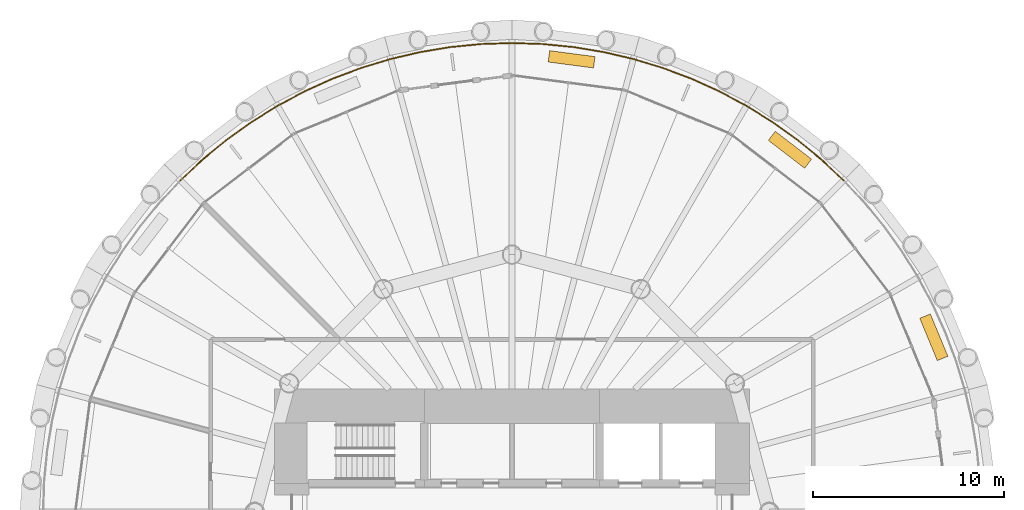
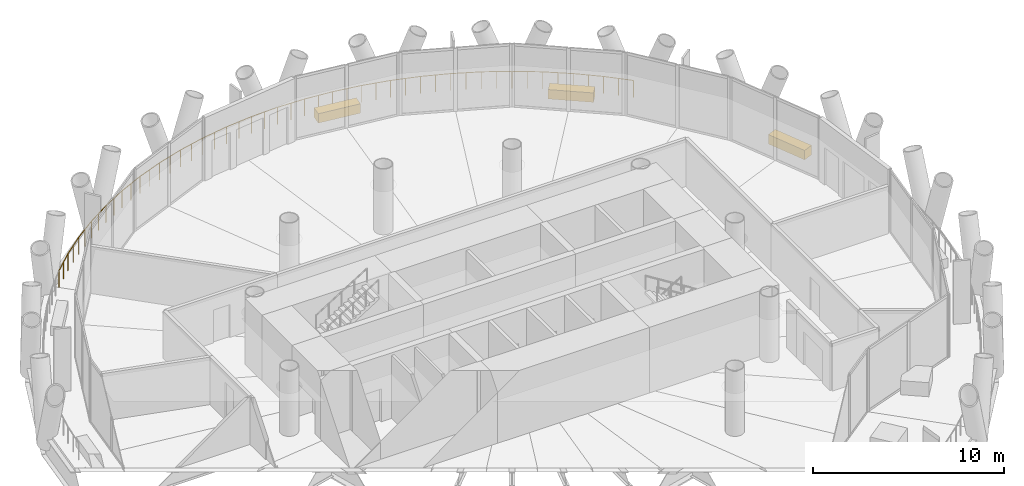
# One storey, part 15 of 15: 3 coverings, 1 railing.
"""IFC4 building model written with IfcOpenShell, lengths in metres."""

from ifc_helpers import new_model, si_unit, direction, frame, origin, origin_2d, place, context, subcontext, project, spatial, rectangle, circle, extrude, material, layer, layer_set, type_object, element, save


model = new_model("IFC4")

# Units and contexts
model_context = context("Model", 3, precision=1e-05, world=origin(), true_north=direction((0.0, 1.0)))
body_context = subcontext(model_context, "Body", "Model", "MODEL_VIEW")
ifc_project = project(units=[si_unit("LENGTHUNIT", "METRE"), si_unit("AREAUNIT", "SQUARE_METRE"), si_unit("VOLUMEUNIT", "CUBIC_METRE"), si_unit("PLANEANGLEUNIT", "RADIAN"), si_unit("MASSUNIT", "GRAM", prefix="KILO")], contexts=[model_context])

# Site, building, storey
site_placement = place(None, origin())
site = spatial("IfcSite", under=ifc_project, at=site_placement, CompositionType="ELEMENT")
building_placement = place(site_placement, origin())
building = spatial("IfcBuilding", under=site, at=building_placement, Name="Qaws Media Tower", CompositionType="ELEMENT")
storey_placement = place(building_placement, frame((0.0, 0.0, 110.0)))
storey = spatial("IfcBuildingStorey", under=building, at=storey_placement, Name="L24", CompositionType="ELEMENT", Elevation=110.0)

# Railing
ifc_material_1 = material(Name="Stainless steel and glass guard", Category="steel")
railing_type = type_object("IfcRailingType", Name="Balcony guard 1100", PredefinedType="GUARDRAIL", material=ifc_material_1)
railing_placement = place(storey_placement, frame((77.394775390625, 67.394775390625, 0.0)))
element("IfcRailing", 1, at=railing_placement, inside=storey, type_object=railing_type, Name="GR1 balcony guard L24-1", PredefinedType="GUARDRAIL", context=body_context, shape_type="SweptSolid", body=[
    extrude(circle(Radius=0.02392578125, at=origin_2d()), frame((0.0, 0.0, 1.076171875), z_axis=(-0.729783090483, 0.68367875559, 0.0), x_axis=(-0.68367875559, -0.729783090483, 0.0)), (0.0, 0.0, 1.0), 1.60986328125),
    extrude(circle(Radius=0.02392578125, at=origin_2d()), frame((-1.1748046875, 1.1005859375, 1.076171875), z_axis=(-0.773010438254, 0.634393302574, 0.0), x_axis=(-0.634393302574, -0.773010438254, 0.0)), (0.0, 0.0, 1.0), 1.60986328125),
    extrude(circle(Radius=0.02392578125, at=origin_2d()), frame((-2.419189453125, 2.121826171875, 1.076171875), z_axis=(-0.812912862639, 0.582385334428, 0.0), x_axis=(-0.582385334428, -0.812912862639, 0.0)), (0.0, 0.0, 1.0), 1.60986328125),
    extrude(circle(Radius=0.02392578125, at=origin_2d()), frame((-3.727783203125, 3.059326171875, 1.076171875), z_axis=(-0.849180548432, 0.528102637907, 0.0), x_axis=(-0.528102637907, -0.849180548432, 0.0)), (0.0, 0.0, 1.0), 1.609619140625),
    extrude(circle(Radius=0.02392578125, at=origin_2d()), frame((-5.0947265625, 3.909423828125, 1.076171875), z_axis=(-0.88193275575, 0.471375237295, 0.0), x_axis=(-0.471375237295, -0.88193275575, 0.0)), (0.0, 0.0, 1.0), 1.609619140625),
    extrude(circle(Radius=0.02392578125, at=origin_2d()), frame((-6.514404296875, 4.668212890625, 1.076171875), z_axis=(-0.910822956151, 0.412797217224, 0.0), x_axis=(-0.412797217224, -0.910822956151, 0.0)), (0.0, 0.0, 1.0), 1.60986328125),
    extrude(circle(Radius=0.02392578125, at=origin_2d()), frame((-7.980712890625, 5.332763671875, 1.076171875), z_axis=(-0.935935920435, 0.352170346338, 0.0), x_axis=(-0.352170346338, -0.935935920435, 0.0)), (0.0, 0.0, 1.0), 1.609619140625),
    extrude(circle(Radius=0.02392578125, at=origin_2d()), frame((-9.4873046875, 5.899658203125, 1.076171875), z_axis=(-0.956945288685, 0.290268349056, 0.0), x_axis=(-0.290268349056, -0.956945288685, 0.0)), (0.0, 0.0, 1.0), 1.60986328125),
    extrude(circle(Radius=0.02392578125, at=origin_2d()), frame((-11.02783203125, 6.366943359375, 1.076171875), z_axis=(-0.973882587592, 0.227052208943, 0.0), x_axis=(-0.227052208943, -0.973882587592, 0.0)), (0.0, 0.0, 1.0), 1.609619140625),
    extrude(circle(Radius=0.02392578125, at=origin_2d()), frame((-12.595458984375, 6.732421875, 1.076171875), z_axis=(-0.986622483946, 0.163021698469, 0.0), x_axis=(-0.163021698469, -0.986622483946, 0.0)), (0.0, 0.0, 1.0), 1.60986328125),
    extrude(circle(Radius=0.02392578125, at=origin_2d()), frame((-14.183837890625, 6.994873046875, 1.076171875), z_axis=(-0.995189172452, 0.09797199107, 0.0), x_axis=(-0.09797199107, -0.995189172452, 0.0)), (0.0, 0.0, 1.0), 1.60986328125),
    extrude(circle(Radius=0.02392578125, at=origin_2d()), frame((-15.785888671875, 7.152587890625, 1.076171875), z_axis=(-0.999463268704, 0.032759342343, 0.0), x_axis=(-0.032759342343, -0.999463268704, 0.0)), (0.0, 0.0, 1.0), 1.60986328125),
    extrude(circle(Radius=0.02392578125, at=origin_2d()), frame((-17.394775390625, 7.205322265625, 1.076171875), z_axis=(-0.999463268704, -0.032759342343, 0.0), x_axis=(0.032759342343, -0.999463268704, 0.0)), (0.0, 0.0, 1.0), 1.60986328125),
    extrude(circle(Radius=0.02392578125, at=origin_2d()), frame((-19.003662109375, 7.152587890625, 1.076171875), z_axis=(-0.995189172452, -0.09797199107, 0.0), x_axis=(0.09797199107, -0.995189172452, 0.0)), (0.0, 0.0, 1.0), 1.60986328125),
    extrude(circle(Radius=0.02392578125, at=origin_2d()), frame((-20.605712890625, 6.994873046875, 1.076171875), z_axis=(-0.986622483946, -0.163021698469, 0.0), x_axis=(0.163021698469, -0.986622483946, 0.0)), (0.0, 0.0, 1.0), 1.60986328125),
    extrude(circle(Radius=0.02392578125, at=origin_2d()), frame((-22.194091796875, 6.732421875, 1.076171875), z_axis=(-0.973882587592, -0.227052208943, 0.0), x_axis=(0.227052208943, -0.973882587592, 0.0)), (0.0, 0.0, 1.0), 1.609619140625),
    extrude(circle(Radius=0.02392578125, at=origin_2d()), frame((-23.76171875, 6.366943359375, 1.076171875), z_axis=(-0.956945288685, -0.290268349056, 0.0), x_axis=(0.290268349056, -0.956945288685, 0.0)), (0.0, 0.0, 1.0), 1.60986328125),
    extrude(circle(Radius=0.02392578125, at=origin_2d()), frame((-25.30224609375, 5.899658203125, 1.076171875), z_axis=(-0.935935920435, -0.352170346338, 0.0), x_axis=(0.352170346338, -0.935935920435, 0.0)), (0.0, 0.0, 1.0), 1.609619140625),
    extrude(circle(Radius=0.02392578125, at=origin_2d()), frame((-26.808837890625, 5.332763671875, 1.076171875), z_axis=(-0.910822956151, -0.412797217224, 0.0), x_axis=(0.412797217224, -0.910822956151, 0.0)), (0.0, 0.0, 1.0), 1.60986328125),
    extrude(circle(Radius=0.02392578125, at=origin_2d()), frame((-28.275146484375, 4.668212890625, 1.076171875), z_axis=(-0.88193275575, -0.471375237295, 0.0), x_axis=(0.471375237295, -0.88193275575, 0.0)), (0.0, 0.0, 1.0), 1.609619140625),
    extrude(circle(Radius=0.02392578125, at=origin_2d()), frame((-29.69482421875, 3.909423828125, 1.076171875), z_axis=(-0.849180548432, -0.528102637907, 0.0), x_axis=(0.528102637907, -0.849180548432, 0.0)), (0.0, 0.0, 1.0), 1.609619140625),
    extrude(circle(Radius=0.02392578125, at=origin_2d()), frame((-31.061767578125, 3.059326171875, 1.076171875), z_axis=(-0.812912862639, -0.582385334428, 0.0), x_axis=(0.582385334428, -0.812912862639, 0.0)), (0.0, 0.0, 1.0), 1.60986328125),
    extrude(circle(Radius=0.02392578125, at=origin_2d()), frame((-32.370361328125, 2.121826171875, 1.076171875), z_axis=(-0.773010438254, -0.634393302574, 0.0), x_axis=(0.634393302574, -0.773010438254, 0.0)), (0.0, 0.0, 1.0), 1.60986328125),
    extrude(circle(Radius=0.02392578125, at=origin_2d()), frame((-33.61474609375, 1.1005859375, 1.076171875), z_axis=(-0.729783090483, -0.68367875559, 0.0), x_axis=(0.68367875559, -0.729783090483, 0.0)), (0.0, 0.0, 1.0), 1.60986328125),
    extrude(circle(Radius=0.02099609375, at=origin_2d()), origin(), (0.0, 0.0, 1.0), 1.052001953125),
    extrude(circle(Radius=0.02099609375, at=origin_2d()), frame((-0.58740234375, 0.55029296875, 0.0)), (0.0, 0.0, 1.0), 1.052001953125),
    extrude(circle(Radius=0.02099609375, at=origin_2d()), frame((-1.1748046875, 1.1005859375, 0.0)), (0.0, 0.0, 1.0), 1.052001953125),
    extrude(circle(Radius=0.02099609375, at=origin_2d()), frame((-1.796875, 1.611328125, 0.0)), (0.0, 0.0, 1.0), 1.052001953125),
    extrude(circle(Radius=0.02099609375, at=origin_2d()), frame((-2.419189453125, 2.121826171875, 0.0)), (0.0, 0.0, 1.0), 1.052001953125),
    extrude(circle(Radius=0.02099609375, at=origin_2d()), frame((-3.073486328125, 2.590576171875, 0.0)), (0.0, 0.0, 1.0), 1.052001953125),
    extrude(circle(Radius=0.02099609375, at=origin_2d()), frame((-3.727783203125, 3.059326171875, 0.0)), (0.0, 0.0, 1.0), 1.052001953125),
    extrude(circle(Radius=0.02099609375, at=origin_2d()), frame((-4.4111328125, 3.484375, 0.0)), (0.0, 0.0, 1.0), 1.052001953125),
    extrude(circle(Radius=0.02099609375, at=origin_2d()), frame((-5.0947265625, 3.909423828125, 0.0)), (0.0, 0.0, 1.0), 1.052001953125),
    extrude(circle(Radius=0.02099609375, at=origin_2d()), frame((-5.8046875, 4.288818359375, 0.0)), (0.0, 0.0, 1.0), 1.052001953125),
    extrude(circle(Radius=0.02099609375, at=origin_2d()), frame((-6.514404296875, 4.668212890625, 0.0)), (0.0, 0.0, 1.0), 1.052001953125),
    extrude(circle(Radius=0.02099609375, at=origin_2d()), frame((-7.24755859375, 5.00048828125, 0.0)), (0.0, 0.0, 1.0), 1.052001953125),
    extrude(circle(Radius=0.02099609375, at=origin_2d()), frame((-7.980712890625, 5.332763671875, 0.0)), (0.0, 0.0, 1.0), 1.052001953125),
    extrude(circle(Radius=0.02099609375, at=origin_2d()), frame((-8.73388671875, 5.6162109375, 0.0)), (0.0, 0.0, 1.0), 1.052001953125),
    extrude(circle(Radius=0.02099609375, at=origin_2d()), frame((-9.4873046875, 5.899658203125, 0.0)), (0.0, 0.0, 1.0), 1.052001953125),
    extrude(circle(Radius=0.02099609375, at=origin_2d()), frame((-10.257568359375, 6.13330078125, 0.0)), (0.0, 0.0, 1.0), 1.052001953125),
    extrude(circle(Radius=0.02099609375, at=origin_2d()), frame((-11.02783203125, 6.366943359375, 0.0)), (0.0, 0.0, 1.0), 1.052001953125),
    extrude(circle(Radius=0.02099609375, at=origin_2d()), frame((-11.8115234375, 6.5498046875, 0.0)), (0.0, 0.0, 1.0), 1.052001953125),
    extrude(circle(Radius=0.02099609375, at=origin_2d()), frame((-12.595458984375, 6.732421875, 0.0)), (0.0, 0.0, 1.0), 1.052001953125),
    extrude(circle(Radius=0.02099609375, at=origin_2d()), frame((-13.3896484375, 6.86376953125, 0.0)), (0.0, 0.0, 1.0), 1.052001953125),
    extrude(circle(Radius=0.02099609375, at=origin_2d()), frame((-14.183837890625, 6.994873046875, 0.0)), (0.0, 0.0, 1.0), 1.052001953125),
    extrude(circle(Radius=0.02099609375, at=origin_2d()), frame((-14.98486328125, 7.07373046875, 0.0)), (0.0, 0.0, 1.0), 1.052001953125),
    extrude(circle(Radius=0.02099609375, at=origin_2d()), frame((-15.785888671875, 7.152587890625, 0.0)), (0.0, 0.0, 1.0), 1.052001953125),
    extrude(circle(Radius=0.02099609375, at=origin_2d()), frame((-16.59033203125, 7.178955078125, 0.0)), (0.0, 0.0, 1.0), 1.052001953125),
    extrude(circle(Radius=0.02099609375, at=origin_2d()), frame((-17.394775390625, 7.205322265625, 0.0)), (0.0, 0.0, 1.0), 1.052001953125),
    extrude(circle(Radius=0.02099609375, at=origin_2d()), frame((-18.19921875, 7.178955078125, 0.0)), (0.0, 0.0, 1.0), 1.052001953125),
    extrude(circle(Radius=0.02099609375, at=origin_2d()), frame((-19.003662109375, 7.152587890625, 0.0)), (0.0, 0.0, 1.0), 1.052001953125),
    extrude(circle(Radius=0.02099609375, at=origin_2d()), frame((-19.8046875, 7.07373046875, 0.0)), (0.0, 0.0, 1.0), 1.052001953125),
    extrude(circle(Radius=0.02099609375, at=origin_2d()), frame((-20.605712890625, 6.994873046875, 0.0)), (0.0, 0.0, 1.0), 1.052001953125),
    extrude(circle(Radius=0.02099609375, at=origin_2d()), frame((-21.39990234375, 6.86376953125, 0.0)), (0.0, 0.0, 1.0), 1.052001953125),
    extrude(circle(Radius=0.02099609375, at=origin_2d()), frame((-22.194091796875, 6.732421875, 0.0)), (0.0, 0.0, 1.0), 1.052001953125),
    extrude(circle(Radius=0.02099609375, at=origin_2d()), frame((-22.97802734375, 6.5498046875, 0.0)), (0.0, 0.0, 1.0), 1.052001953125),
    extrude(circle(Radius=0.02099609375, at=origin_2d()), frame((-23.76171875, 6.366943359375, 0.0)), (0.0, 0.0, 1.0), 1.052001953125),
    extrude(circle(Radius=0.02099609375, at=origin_2d()), frame((-24.531982421875, 6.13330078125, 0.0)), (0.0, 0.0, 1.0), 1.052001953125),
    extrude(circle(Radius=0.02099609375, at=origin_2d()), frame((-25.30224609375, 5.899658203125, 0.0)), (0.0, 0.0, 1.0), 1.052001953125),
    extrude(circle(Radius=0.02099609375, at=origin_2d()), frame((-26.0556640625, 5.6162109375, 0.0)), (0.0, 0.0, 1.0), 1.052001953125),
    extrude(circle(Radius=0.02099609375, at=origin_2d()), frame((-26.808837890625, 5.332763671875, 0.0)), (0.0, 0.0, 1.0), 1.052001953125),
    extrude(circle(Radius=0.02099609375, at=origin_2d()), frame((-27.5419921875, 5.00048828125, 0.0)), (0.0, 0.0, 1.0), 1.052001953125),
    extrude(circle(Radius=0.02099609375, at=origin_2d()), frame((-28.275146484375, 4.668212890625, 0.0)), (0.0, 0.0, 1.0), 1.052001953125),
    extrude(circle(Radius=0.02099609375, at=origin_2d()), frame((-28.98486328125, 4.288818359375, 0.0)), (0.0, 0.0, 1.0), 1.052001953125),
    extrude(circle(Radius=0.02099609375, at=origin_2d()), frame((-29.69482421875, 3.909423828125, 0.0)), (0.0, 0.0, 1.0), 1.052001953125),
    extrude(circle(Radius=0.02099609375, at=origin_2d()), frame((-30.37841796875, 3.484375, 0.0)), (0.0, 0.0, 1.0), 1.052001953125),
    extrude(circle(Radius=0.02099609375, at=origin_2d()), frame((-31.061767578125, 3.059326171875, 0.0)), (0.0, 0.0, 1.0), 1.052001953125),
    extrude(circle(Radius=0.02099609375, at=origin_2d()), frame((-31.716064453125, 2.590576171875, 0.0)), (0.0, 0.0, 1.0), 1.052001953125),
    extrude(circle(Radius=0.02099609375, at=origin_2d()), frame((-32.370361328125, 2.121826171875, 0.0)), (0.0, 0.0, 1.0), 1.052001953125),
    extrude(circle(Radius=0.02099609375, at=origin_2d()), frame((-32.99267578125, 1.611328125, 0.0)), (0.0, 0.0, 1.0), 1.052001953125),
    extrude(circle(Radius=0.02099609375, at=origin_2d()), frame((-33.61474609375, 1.1005859375, 0.0)), (0.0, 0.0, 1.0), 1.052001953125),
    extrude(circle(Radius=0.02099609375, at=origin_2d()), frame((-34.2021484375, 0.55029296875, 0.0)), (0.0, 0.0, 1.0), 1.052001953125),
    extrude(circle(Radius=0.02099609375, at=origin_2d()), frame((-34.78955078125, 0.0, 0.0)), (0.0, 0.0, 1.0), 1.052001953125),
])

# Coverings
ifc_material_2 = material(Name="Precast concrete planter with trailing planting", Category="concrete")
ifc_layer = layer(ifc_material_2, 0.60009765625)
ifc_layer_set = layer_set([ifc_layer], Name="Planter 2400x600")
covering_type = type_object("IfcCoveringType", Name="Planter 2400x600", PredefinedType="USERDEFINED", material=ifc_layer_set)
for number, where, z_axis, x_axis, name in (
    (2, (82.126953125, 59.165283203125, 0.0), (0.0, 0.0, 1.0), (-0.382683432365, 0.923879532511, 0.0), "PL1 balcony planter L24-01"),
    (3, (74.579833984375, 69.000732421875, 0.0), (0.0, 0.0, 1.0), (-0.793353340291, 0.608761429009, 0.0), "PL1 balcony planter L24-02"),
    (4, (63.126220703125, 73.7451171875, 0.0), (0.0, 0.0, 1.0), (-0.991444861374, 0.13052619222, 0.0), "PL1 balcony planter L24-03"),
):
    element("IfcCovering", number, at=place(storey_placement, frame(where, z_axis=z_axis, x_axis=x_axis)), inside=storey, type_object=covering_type, Name=name, ObjectType="PLANTER", PredefinedType="USERDEFINED", context=body_context, shape_type="SweptSolid", body=[
        extrude(rectangle(XDim=2.39990234375, YDim=0.60009765625, at=origin_2d()), origin(), (0.0, 0.0, 1.0), 0.60009765625),
    ])

save(model, "model.ifc")
